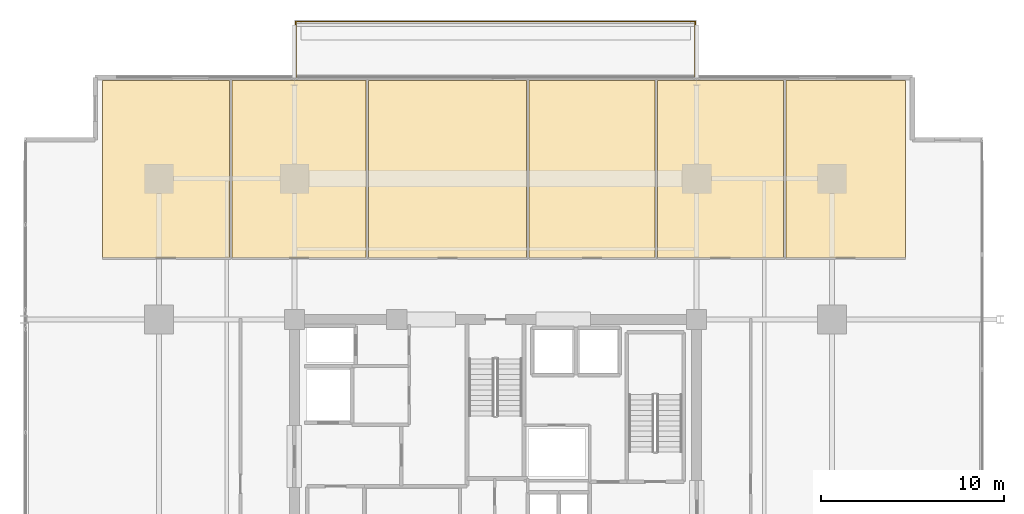
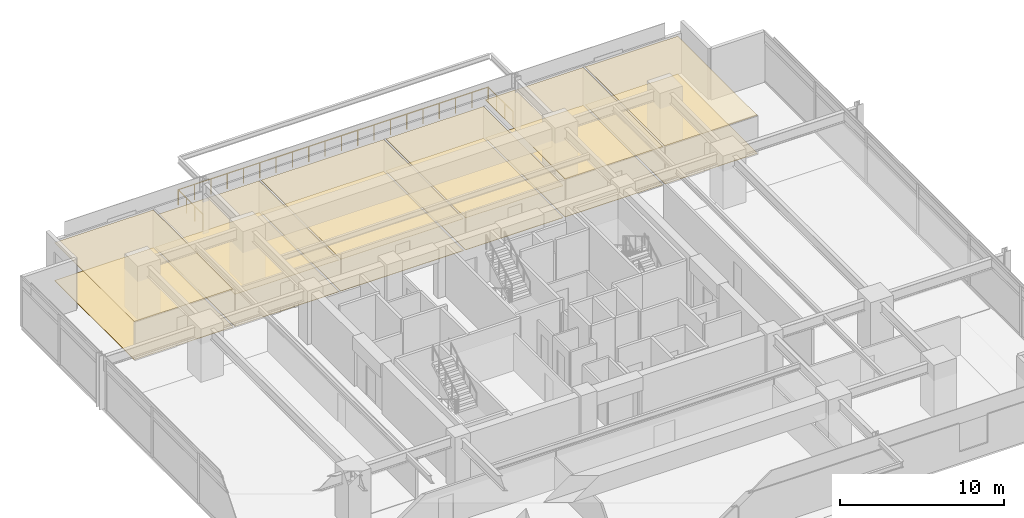
# One storey, part 21 of 21: 12 coverings, 1 railing.
"""IFC4 building model written with IfcOpenShell, lengths in metres."""

from ifc_helpers import new_model, si_unit, direction, frame, origin, origin_2d, place, context, subcontext, project, spatial, polyline, circle, outline, extrude, material, layer, layer_set, type_object, element, save


model = new_model("IFC4")

# Units and contexts
model_context = context("Model", 3, precision=1e-05, world=origin(), true_north=direction((0.0, 1.0)))
body_context = subcontext(model_context, "Body", "Model", "MODEL_VIEW")
ifc_project = project(units=[si_unit("LENGTHUNIT", "METRE"), si_unit("AREAUNIT", "SQUARE_METRE"), si_unit("VOLUMEUNIT", "CUBIC_METRE"), si_unit("PLANEANGLEUNIT", "RADIAN"), si_unit("MASSUNIT", "GRAM", prefix="KILO")], contexts=[model_context])

# Site, building, storey
site_placement = place(None, origin())
site = spatial("IfcSite", under=ifc_project, at=site_placement, CompositionType="ELEMENT")
building_placement = place(site_placement, origin())
building = spatial("IfcBuilding", under=site, at=building_placement, Name="Kovane Verandah Tower", CompositionType="ELEMENT")
storey_placement = place(building_placement, frame((0.0, 0.0, 152.39990234375)))
storey = spatial("IfcBuildingStorey", under=building, at=storey_placement, Name="L35", CompositionType="ELEMENT", Elevation=152.39990234375)

# Coverings
ifc_material_1 = material(Name="Perforated Acoustic Mineral-Fibre Ceiling Tile", Category="gypsum")
ifc_layer_1 = layer(ifc_material_1, 0.02490234375)
ifc_layer_set_1 = layer_set([ifc_layer_1], Name="Perforated Acoustic Mineral-Fibre Ceiling Tile")
covering_type_1 = type_object("IfcCoveringType", Name="CV-CEIL-25", PredefinedType="CEILING", material=ifc_layer_set_1)
covering_1_placement = place(storey_placement, frame((0.0, 0.0, 2.8251953125)))
element("IfcCovering", 1, at=covering_1_placement, inside=storey, type_object=covering_type_1, Name="L35 Meeting Room N1 Acoustic Ceiling", PredefinedType="CEILING", context=body_context, shape_type="SweptSolid", body=[
    extrude(outline(polyline([(18.50390625, 39.85009765625), (25.458251953125, 39.85009765625), (25.458251953125, 49.5771484375), (18.50390625, 49.5771484375), (18.50390625, 39.85009765625)])), origin(), (0.0, 0.0, 1.0), 0.02490234375),
])
covering_2_placement = place(storey_placement, frame((0.0, 0.0, 2.380126953125)))
element("IfcCovering", 2, at=covering_2_placement, inside=storey, type_object=covering_type_1, Name="L35 Focus Studio N2 Acoustic Ceiling", PredefinedType="CEILING", context=body_context, shape_type="SweptSolid", body=[
    extrude(outline(polyline([(25.598388671875, 39.85009765625), (32.921630859375, 39.85009765625), (32.921630859375, 49.5771484375), (25.598388671875, 49.5771484375), (25.598388671875, 39.85009765625)])), origin(), (0.0, 0.0, 1.0), 0.02490234375),
])
covering_3_placement = place(storey_placement, frame((0.0, 0.0, 2.380126953125)))
element("IfcCovering", 3, at=covering_3_placement, inside=storey, type_object=covering_type_1, Name="L35 Breakout Pantry N3 Acoustic Ceiling", PredefinedType="CEILING", context=body_context, shape_type="SweptSolid", body=[
    extrude(outline(polyline([(33.061767578125, 39.85009765625), (41.7021484375, 39.85009765625), (41.7021484375, 49.5771484375), (33.061767578125, 49.5771484375), (33.061767578125, 39.85009765625)])), origin(), (0.0, 0.0, 1.0), 0.02490234375),
])
covering_4_placement = place(storey_placement, frame((0.0, 0.0, 2.380126953125)))
element("IfcCovering", 4, at=covering_4_placement, inside=storey, type_object=covering_type_1, Name="L35 Collaboration Hub N4 Acoustic Ceiling", PredefinedType="CEILING", context=body_context, shape_type="SweptSolid", body=[
    extrude(outline(polyline([(41.842041015625, 39.85009765625), (48.726318359375, 39.85009765625), (48.726318359375, 49.5771484375), (41.842041015625, 49.5771484375), (41.842041015625, 39.85009765625)])), origin(), (0.0, 0.0, 1.0), 0.02490234375),
])
covering_5_placement = place(storey_placement, frame((0.0, 0.0, 2.8251953125)))
element("IfcCovering", 5, at=covering_5_placement, inside=storey, type_object=covering_type_1, Name="L35 Document and Print Room N5 Acoustic Ceiling", PredefinedType="CEILING", context=body_context, shape_type="SweptSolid", body=[
    extrude(outline(polyline([(48.866455078125, 39.85009765625), (55.750732421875, 39.85009765625), (55.750732421875, 49.5771484375), (48.866455078125, 49.5771484375), (48.866455078125, 39.85009765625)])), origin(), (0.0, 0.0, 1.0), 0.02490234375),
])
covering_6_placement = place(storey_placement, frame((0.0, 0.0, 2.8251953125)))
element("IfcCovering", 6, at=covering_6_placement, inside=storey, type_object=covering_type_1, Name="L35 Open Plan Office N6 Acoustic Ceiling", PredefinedType="CEILING", context=body_context, shape_type="SweptSolid", body=[
    extrude(outline(polyline([(55.890625, 39.85009765625), (62.406005859375, 39.85009765625), (62.406005859375, 49.5771484375), (55.890625, 49.5771484375), (55.890625, 39.85009765625)])), origin(), (0.0, 0.0, 1.0), 0.02490234375),
])
ifc_material_2 = material(Name="Polished Terrazzo and Raised-Access Carpet Tile Finish", Category="concrete")
ifc_layer_2 = layer(ifc_material_2, 0.030029296875)
ifc_layer_set_2 = layer_set([ifc_layer_2], Name="Polished Terrazzo and Raised-Access Carpet Tile Finish")
covering_type_2 = type_object("IfcCoveringType", Name="CV-FLOR-30", PredefinedType="FLOORING", material=ifc_layer_set_2)
covering_7_placement = place(storey_placement, origin())
element("IfcCovering", 7, at=covering_7_placement, inside=storey, type_object=covering_type_2, Name="L35 Meeting Room N1 Floor Finish", PredefinedType="FLOORING", context=body_context, shape_type="SweptSolid", body=[
    extrude(outline(polyline([(18.50390625, 39.85009765625), (25.458251953125, 39.85009765625), (25.458251953125, 49.5771484375), (18.50390625, 49.5771484375), (18.50390625, 39.85009765625)])), origin(), (0.0, 0.0, 1.0), 0.030029296875),
])
covering_8_placement = place(storey_placement, origin())
element("IfcCovering", 8, at=covering_8_placement, inside=storey, type_object=covering_type_2, Name="L35 Focus Studio N2 Floor Finish", PredefinedType="FLOORING", context=body_context, shape_type="SweptSolid", body=[
    extrude(outline(polyline([(25.598388671875, 39.85009765625), (32.921630859375, 39.85009765625), (32.921630859375, 49.5771484375), (25.598388671875, 49.5771484375), (25.598388671875, 39.85009765625)])), origin(), (0.0, 0.0, 1.0), 0.030029296875),
])
covering_9_placement = place(storey_placement, origin())
element("IfcCovering", 9, at=covering_9_placement, inside=storey, type_object=covering_type_2, Name="L35 Breakout Pantry N3 Floor Finish", PredefinedType="FLOORING", context=body_context, shape_type="SweptSolid", body=[
    extrude(outline(polyline([(33.061767578125, 39.85009765625), (41.7021484375, 39.85009765625), (41.7021484375, 49.5771484375), (33.061767578125, 49.5771484375), (33.061767578125, 39.85009765625)])), origin(), (0.0, 0.0, 1.0), 0.030029296875),
])
covering_10_placement = place(storey_placement, origin())
element("IfcCovering", 10, at=covering_10_placement, inside=storey, type_object=covering_type_2, Name="L35 Collaboration Hub N4 Floor Finish", PredefinedType="FLOORING", context=body_context, shape_type="SweptSolid", body=[
    extrude(outline(polyline([(41.842041015625, 39.85009765625), (48.726318359375, 39.85009765625), (48.726318359375, 49.5771484375), (41.842041015625, 49.5771484375), (41.842041015625, 39.85009765625)])), origin(), (0.0, 0.0, 1.0), 0.030029296875),
])
covering_11_placement = place(storey_placement, origin())
element("IfcCovering", 11, at=covering_11_placement, inside=storey, type_object=covering_type_2, Name="L35 Document and Print Room N5 Floor Finish", PredefinedType="FLOORING", context=body_context, shape_type="SweptSolid", body=[
    extrude(outline(polyline([(48.866455078125, 39.85009765625), (55.750732421875, 39.85009765625), (55.750732421875, 49.5771484375), (48.866455078125, 49.5771484375), (48.866455078125, 39.85009765625)])), origin(), (0.0, 0.0, 1.0), 0.030029296875),
])
covering_12_placement = place(storey_placement, origin())
element("IfcCovering", 12, at=covering_12_placement, inside=storey, type_object=covering_type_2, Name="L35 Open Plan Office N6 Floor Finish", PredefinedType="FLOORING", context=body_context, shape_type="SweptSolid", body=[
    extrude(outline(polyline([(55.890625, 39.85009765625), (62.406005859375, 39.85009765625), (62.406005859375, 49.5771484375), (55.890625, 49.5771484375), (55.890625, 39.85009765625)])), origin(), (0.0, 0.0, 1.0), 0.030029296875),
])

# Railing
ifc_material_3 = material(Name="Laminated Glass and Pale-Champagne Stainless Balustrade", Category="glass")
railing_type = type_object("IfcRailingType", Name="RL-BAL-1150", PredefinedType="BALUSTRADE", material=ifc_material_3)
railing_placement = place(storey_placement, frame((29.080078125, 49.777099609375, 0.0)))
element("IfcRailing", 13, at=railing_placement, inside=storey, type_object=railing_type, Name="L35 N Verandah Glass Balustrade", PredefinedType="BALUSTRADE", context=body_context, shape_type="SweptSolid", body=[
    extrude(circle(Radius=0.02392578125, at=origin_2d()), frame((0.0, 0.0, 1.1259765625), z_axis=(0.0, 1.0, 0.0), x_axis=(-1.0, 0.0, 0.0)), (0.0, 0.0, 1.0), 3.02001953125),
    extrude(circle(Radius=0.02392578125, at=origin_2d()), frame((0.0, 3.02001953125, 1.1259765625), z_axis=(1.0, 0.0, 0.0), x_axis=(0.0, 1.0, 0.0)), (0.0, 0.0, 1.0), 21.83984375),
    extrude(circle(Radius=0.02392578125, at=origin_2d()), frame((21.83984375, 3.02001953125, 1.1259765625), z_axis=(0.0, -1.0, 0.0), x_axis=(1.0, 0.0, 0.0)), (0.0, 0.0, 1.0), 3.02001953125),
    extrude(circle(Radius=0.02099609375, at=origin_2d()), origin(), (0.0, 0.0, 1.0), 1.101806640625),
    extrude(circle(Radius=0.02099609375, at=origin_2d()), frame((0.0, 1.006591796875, 0.0)), (0.0, 0.0, 1.0), 1.101806640625),
    extrude(circle(Radius=0.02099609375, at=origin_2d()), frame((0.0, 2.013427734375, 0.0)), (0.0, 0.0, 1.0), 1.101806640625),
    extrude(circle(Radius=0.02099609375, at=origin_2d()), frame((0.0, 3.02001953125, 0.0)), (0.0, 0.0, 1.0), 1.101806640625),
    extrude(circle(Radius=0.02099609375, at=origin_2d()), frame((1.1494140625, 3.02001953125, 0.0)), (0.0, 0.0, 1.0), 1.101806640625),
    extrude(circle(Radius=0.02099609375, at=origin_2d()), frame((2.298828125, 3.02001953125, 0.0)), (0.0, 0.0, 1.0), 1.101806640625),
    extrude(circle(Radius=0.02099609375, at=origin_2d()), frame((3.448486328125, 3.02001953125, 0.0)), (0.0, 0.0, 1.0), 1.101806640625),
    extrude(circle(Radius=0.02099609375, at=origin_2d()), frame((4.597900390625, 3.02001953125, 0.0)), (0.0, 0.0, 1.0), 1.101806640625),
    extrude(circle(Radius=0.02099609375, at=origin_2d()), frame((5.747314453125, 3.02001953125, 0.0)), (0.0, 0.0, 1.0), 1.101806640625),
    extrude(circle(Radius=0.02099609375, at=origin_2d()), frame((6.896728515625, 3.02001953125, 0.0)), (0.0, 0.0, 1.0), 1.101806640625),
    extrude(circle(Radius=0.02099609375, at=origin_2d()), frame((8.046142578125, 3.02001953125, 0.0)), (0.0, 0.0, 1.0), 1.101806640625),
    extrude(circle(Radius=0.02099609375, at=origin_2d()), frame((9.19580078125, 3.02001953125, 0.0)), (0.0, 0.0, 1.0), 1.101806640625),
    extrude(circle(Radius=0.02099609375, at=origin_2d()), frame((10.34521484375, 3.02001953125, 0.0)), (0.0, 0.0, 1.0), 1.101806640625),
    extrude(circle(Radius=0.02099609375, at=origin_2d()), frame((11.49462890625, 3.02001953125, 0.0)), (0.0, 0.0, 1.0), 1.101806640625),
    extrude(circle(Radius=0.02099609375, at=origin_2d()), frame((12.64404296875, 3.02001953125, 0.0)), (0.0, 0.0, 1.0), 1.101806640625),
    extrude(circle(Radius=0.02099609375, at=origin_2d()), frame((13.793701171875, 3.02001953125, 0.0)), (0.0, 0.0, 1.0), 1.101806640625),
    extrude(circle(Radius=0.02099609375, at=origin_2d()), frame((14.943115234375, 3.02001953125, 0.0)), (0.0, 0.0, 1.0), 1.101806640625),
    extrude(circle(Radius=0.02099609375, at=origin_2d()), frame((16.092529296875, 3.02001953125, 0.0)), (0.0, 0.0, 1.0), 1.101806640625),
    extrude(circle(Radius=0.02099609375, at=origin_2d()), frame((17.241943359375, 3.02001953125, 0.0)), (0.0, 0.0, 1.0), 1.101806640625),
    extrude(circle(Radius=0.02099609375, at=origin_2d()), frame((18.391357421875, 3.02001953125, 0.0)), (0.0, 0.0, 1.0), 1.101806640625),
    extrude(circle(Radius=0.02099609375, at=origin_2d()), frame((19.541015625, 3.02001953125, 0.0)), (0.0, 0.0, 1.0), 1.101806640625),
    extrude(circle(Radius=0.02099609375, at=origin_2d()), frame((20.6904296875, 3.02001953125, 0.0)), (0.0, 0.0, 1.0), 1.101806640625),
    extrude(circle(Radius=0.02099609375, at=origin_2d()), frame((21.83984375, 3.02001953125, 0.0)), (0.0, 0.0, 1.0), 1.101806640625),
    extrude(circle(Radius=0.02099609375, at=origin_2d()), frame((21.83984375, 2.013427734375, 0.0)), (0.0, 0.0, 1.0), 1.101806640625),
    extrude(circle(Radius=0.02099609375, at=origin_2d()), frame((21.83984375, 1.006591796875, 0.0)), (0.0, 0.0, 1.0), 1.101806640625),
    extrude(circle(Radius=0.02099609375, at=origin_2d()), frame((21.83984375, 0.0, 0.0)), (0.0, 0.0, 1.0), 1.101806640625),
])

save(model, "model.ifc")
